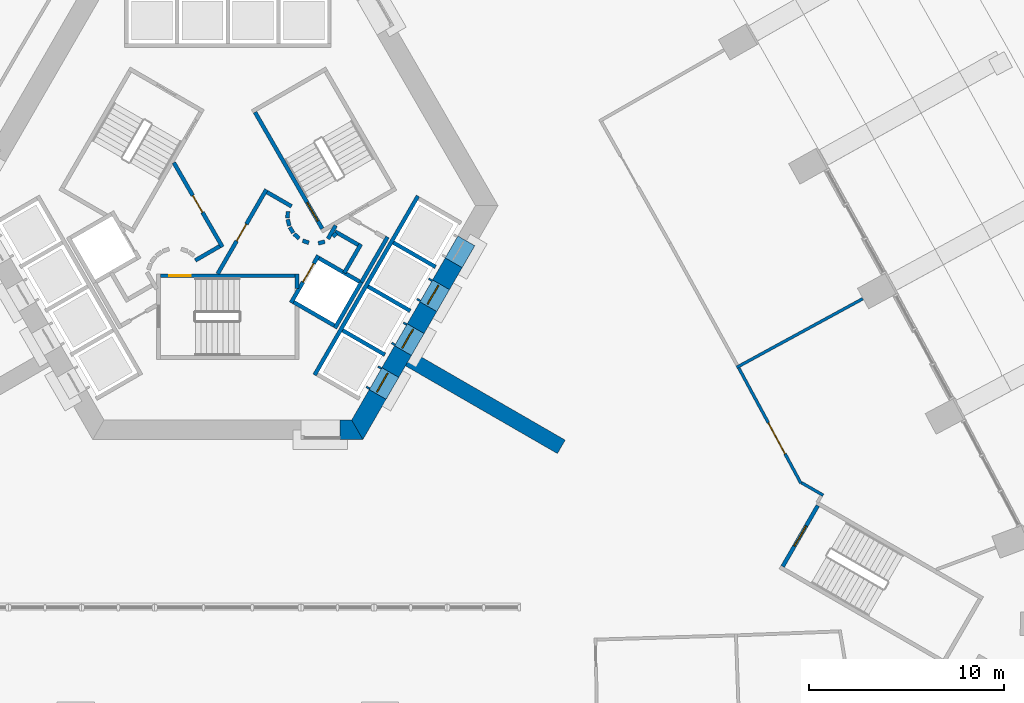
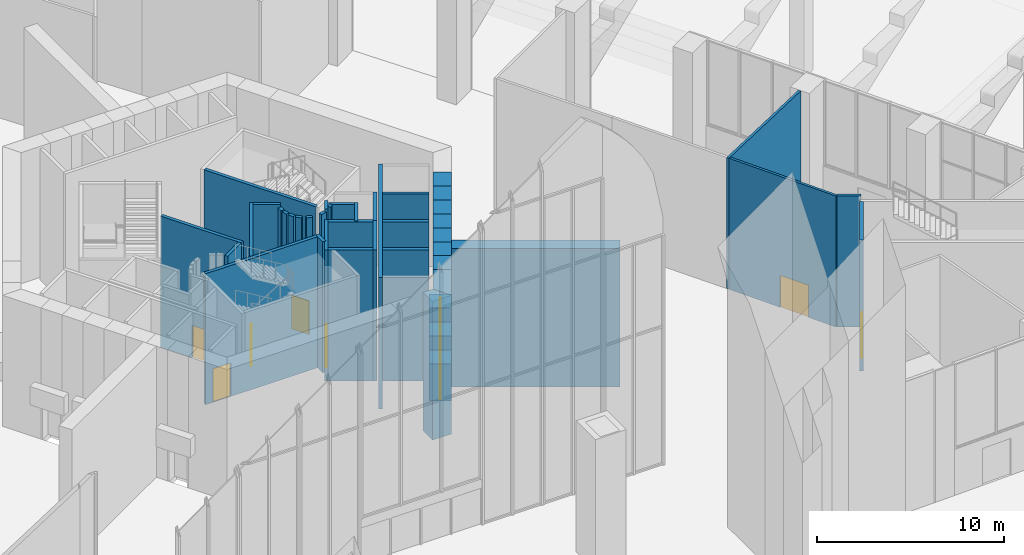
# One storey, part 17 of 36: 43 walls, 10 doors, 10 openings.
"""IFC4 building model written with IfcOpenShell, lengths in metres."""

from ifc_helpers import new_model, si_unit, direction, frame, frame_2d, origin, place, context, subcontext, project, spatial, polyline, rectangle, outline, extrude, material, layer, layer_set, type_object, element, fill, save


model = new_model("IFC4")

# Units and contexts
model_context = context("Model", 3, precision=1e-05, world=origin(), true_north=direction((0.0, 1.0)))
body_context = subcontext(model_context, "Body", "Model", "MODEL_VIEW")
ifc_project = project(units=[si_unit("LENGTHUNIT", "METRE"), si_unit("AREAUNIT", "SQUARE_METRE"), si_unit("VOLUMEUNIT", "CUBIC_METRE"), si_unit("PLANEANGLEUNIT", "RADIAN"), si_unit("MASSUNIT", "GRAM", prefix="KILO")], contexts=[model_context])

# Site, building, storey
site_placement = place(None, origin())
site = spatial("IfcSite", under=ifc_project, at=site_placement, CompositionType="ELEMENT")
building_placement = place(site_placement, origin())
building = spatial("IfcBuilding", under=site, at=building_placement, Name="Entoto Arch Interchange Tower", CompositionType="ELEMENT")
storey_placement = place(building_placement, origin())
storey = spatial("IfcBuildingStorey", under=building, at=storey_placement, Name="L00", CompositionType="ELEMENT", Elevation=0.0)

# Walls
ifc_material_1 = material(Name="Concrete C60/75", Category="concrete")
ifc_layer_1 = layer(ifc_material_1, 0.800048828125)
ifc_layer_set_1 = layer_set([ifc_layer_1], Name="Concrete C60/75")
wall_type_1 = type_object("IfcWallType", Name="Buttress wall 800 C60/75", PredefinedType="SHEAR", material=ifc_layer_set_1)
wall_1_placement = place(storey_placement, frame((9.31005859375, -5.375, -0.5), z_axis=(0.0, 0.0, 1.0), x_axis=(0.866017533419, -0.500013631625, 0.0)))
element("IfcWall", 1, at=wall_1_placement, inside=storey, type_object=wall_type_1, Name="Buttress wall SE L00", PredefinedType="SHEAR", context=body_context, shape_type="SweptSolid", body=[
    extrude(rectangle(XDim=8.999755859375, YDim=0.800048828125, at=frame_2d((4.5, 0.0))), origin(), (0.0, 0.0, 1.0), 9.050048828125),
])
ifc_layer_2 = layer(ifc_material_1, 1.0)
ifc_layer_set_2 = layer_set([ifc_layer_2], Name="Concrete C60/75")
wall_type_2 = type_object("IfcWallType", Name="Core wall 1000 C60/75", PredefinedType="SHEAR", material=ifc_layer_set_2)
wall_2_placement = place(storey_placement, frame((0.0, 0.0, -0.5)))
element("IfcWall", 2, at=wall_2_placement, inside=storey, type_object=wall_type_2, Name="Core wall S L00", PredefinedType="SHEAR", context=body_context, shape_type="SweptSolid", body=[
    extrude(outline(polyline([(5.75, -8.5), (5.75, -9.5), (6.927978515625, -9.5), (6.35107421875, -8.5), (5.75, -8.5)])), origin(), (0.0, 0.0, 1.0), 9.050048828125),
])
wall_3_placement = place(storey_placement, frame((0.0, 0.0, -0.5)))
element("IfcWall", 3, at=wall_3_placement, inside=storey, type_object=wall_type_2, Name="Core wall SE L00", PredefinedType="SHEAR", context=body_context, shape_type="SweptSolid", body=[
    extrude(outline(polyline([(8.116943359375, -7.43994140625), (7.251953125, -6.93994140625), (6.35107421875, -8.5), (6.927978515625, -9.5), (8.116943359375, -7.43994140625)])), origin(), (0.0, 0.0, 1.0), 9.050048828125),
])
wall_4_placement = place(storey_placement, frame((0.0, 0.0, -0.5)))
element("IfcWall", 4, at=wall_4_placement, inside=storey, type_object=wall_type_2, Name="Core wall SE L00", PredefinedType="SHEAR", context=body_context, shape_type="SweptSolid", body=[
    extrude(outline(polyline([(9.4169921875, -5.18896484375), (8.551025390625, -4.68896484375), (7.902099609375, -5.81396484375), (8.76708984375, -6.31396484375), (9.4169921875, -5.18896484375)])), origin(), (0.0, 0.0, 1.0), 9.050048828125),
])
wall_5_placement = place(storey_placement, frame((0.0, 0.0, -0.5)))
element("IfcWall", 5, at=wall_5_placement, inside=storey, type_object=wall_type_2, Name="Core wall SE L00", PredefinedType="SHEAR", context=body_context, shape_type="SweptSolid", body=[
    extrude(outline(polyline([(10.717041015625, -2.93701171875), (9.85107421875, -2.43701171875), (9.200927734375, -3.56298828125), (10.06689453125, -4.06298828125), (10.717041015625, -2.93701171875)])), origin(), (0.0, 0.0, 1.0), 9.050048828125),
])
wall_6_placement = place(storey_placement, frame((0.0, 0.0, -0.5)))
element("IfcWall", 6, at=wall_6_placement, inside=storey, type_object=wall_type_2, Name="Core wall SE L00", PredefinedType="SHEAR", context=body_context, shape_type="SweptSolid", body=[
    extrude(outline(polyline([(12.01708984375, -0.68603515625), (11.15087890625, -0.18603515625), (10.5009765625, -1.31103515625), (11.366943359375, -1.81103515625), (12.01708984375, -0.68603515625)])), origin(), (0.0, 0.0, 1.0), 9.050048828125),
])
wall_7_placement = place(storey_placement, frame((0.0, 0.0, 3.60009765625)))
element("IfcWall", 7, at=wall_7_placement, inside=storey, type_object=wall_type_2, Name="Core wall lintel SE L00", PredefinedType="SHEAR", context=body_context, shape_type="SweptSolid", body=[
    extrude(outline(polyline([(8.76708984375, -6.31396484375), (7.902099609375, -5.81396484375), (7.251953125, -6.93994140625), (8.116943359375, -7.43994140625), (8.76708984375, -6.31396484375)])), origin(), (0.0, 0.0, 1.0), 4.949951171875),
])
wall_8_placement = place(storey_placement, frame((0.0, 0.0, 3.60009765625)))
element("IfcWall", 8, at=wall_8_placement, inside=storey, type_object=wall_type_2, Name="Core wall lintel SE L00", PredefinedType="SHEAR", context=body_context, shape_type="SweptSolid", body=[
    extrude(outline(polyline([(10.06689453125, -4.06298828125), (9.200927734375, -3.56298828125), (8.551025390625, -4.68896484375), (9.4169921875, -5.18896484375), (10.06689453125, -4.06298828125)])), origin(), (0.0, 0.0, 1.0), 4.949951171875),
])
wall_9_placement = place(storey_placement, frame((0.0, 0.0, 3.60009765625)))
element("IfcWall", 9, at=wall_9_placement, inside=storey, type_object=wall_type_2, Name="Core wall lintel SE L00", PredefinedType="SHEAR", context=body_context, shape_type="SweptSolid", body=[
    extrude(outline(polyline([(11.366943359375, -1.81103515625), (10.5009765625, -1.31103515625), (9.85107421875, -2.43701171875), (10.717041015625, -2.93701171875), (11.366943359375, -1.81103515625)])), origin(), (0.0, 0.0, 1.0), 4.949951171875),
])
wall_10_placement = place(storey_placement, frame((0.0, 0.0, 3.60009765625)))
element("IfcWall", 10, at=wall_10_placement, inside=storey, type_object=wall_type_2, Name="Core wall lintel SE L00", PredefinedType="SHEAR", context=body_context, shape_type="SweptSolid", body=[
    extrude(outline(polyline([(12.6669921875, 0.43994140625), (11.801025390625, 0.93994140625), (11.15087890625, -0.18603515625), (12.01708984375, -0.68603515625), (12.6669921875, 0.43994140625)])), origin(), (0.0, 0.0, 1.0), 4.949951171875),
])

# Wall, opening, door
ifc_material_2 = material(Name="Concrete C40/50", Category="concrete")
ifc_layer_3 = layer(ifc_material_2, 1.199951171875)
ifc_layer_set_3 = layer_set([ifc_layer_3], Name="Concrete C40/50")
wall_type_3 = type_object("IfcWallType", Name="LIFT LANDING INFILL WALL", PredefinedType="STANDARD", material=ifc_layer_set_3)
wall_11_placement = place(storey_placement, frame((7.597900390625, -7.139892578125, 0.0), z_axis=(0.0, 0.0, 1.0), x_axis=(0.500362116554, 0.865816234728, 0.0)))
wall_11 = element("IfcWall", 11, at=wall_11_placement, inside=storey, type_object=wall_type_3, Name="Lift landing infill wall LR5 L00", PredefinedType="STANDARD", context=body_context, shape_type="SweptSolid", body=[
    extrude(rectangle(XDim=1.29931640625, YDim=1.199951171875, at=frame_2d((0.649658203125, 0.0))), origin(), (0.0, 0.0, 1.0), 2.39990234375),
])
opening_1_placement = place(wall_11_placement, frame((0.10009765625, 0.0, 0.0)))
opening_1 = element("IfcOpeningElement", 12, at=opening_1_placement, cuts=wall_11, Name="Opening LD-LR5-L00", PredefinedType="OPENING", context=body_context, shape_type="SweptSolid", body=[
    extrude(rectangle(XDim=1.10009765625, YDim=2.300048828125, at=frame_2d((0.550048828125, 1.14990234375))), frame((0.0, 0.60986328125, 0.0), z_axis=(0.0, -1.0, 0.0), x_axis=(1.0, 0.0, 0.0)), (0.0, 0.0, 1.0), 1.219970703125),
])
ifc_material_3 = material(Name="Stainless steel 1.4301 panels", Category="steel")
door_type_1 = type_object("IfcDoorType", Name="LIFT LANDING DOOR LD2 1100x2300", OperationType="SLIDING_TO_LEFT", PredefinedType="DOOR", material=ifc_material_3)
door_1_placement = place(opening_1_placement, origin())
door_1 = element("IfcDoor", 13, at=door_1_placement, inside=storey, type_object=door_type_1, Name="Lift landing door LR5 L00", OperationType="SLIDING_TO_LEFT", OverallHeight=2.300048828125, OverallWidth=1.10009765625, PredefinedType="DOOR", context=body_context, shape_type="SweptSolid", body=[
    extrude(rectangle(XDim=1.10009765625, YDim=2.300048828125, at=frame_2d((0.550048828125, 1.14990234375))), frame((0.0, 0.02490234375, 0.0), z_axis=(0.0, -1.0, 0.0), x_axis=(1.0, 0.0, 0.0)), (0.0, 0.0, 1.0), 0.050048828125),
])
fill(opening_1, door_1)

wall_12_placement = place(storey_placement, frame((8.89794921875, -4.888916015625, 0.0), z_axis=(0.0, 0.0, 1.0), x_axis=(0.500036693733, 0.866004217611, 0.0)))
wall_12 = element("IfcWall", 14, at=wall_12_placement, inside=storey, type_object=wall_type_3, Name="Lift landing infill wall LR6 L00", PredefinedType="STANDARD", context=body_context, shape_type="SweptSolid", body=[
    extrude(rectangle(XDim=1.30029296875, YDim=1.199951171875, at=frame_2d((0.650146484375, 0.0))), origin(), (0.0, 0.0, 1.0), 2.39990234375),
])
opening_2_placement = place(wall_12_placement, frame((0.10009765625, 0.0, 0.0)))
opening_2 = element("IfcOpeningElement", 15, at=opening_2_placement, cuts=wall_12, Name="Opening LD-LR6-L00", PredefinedType="OPENING", context=body_context, shape_type="SweptSolid", body=[
    extrude(rectangle(XDim=1.10009765625, YDim=2.300048828125, at=frame_2d((0.550048828125, 1.14990234375))), frame((0.0, 0.60986328125, 0.0), z_axis=(0.0, -1.0, 0.0), x_axis=(1.0, 0.0, 0.0)), (0.0, 0.0, 1.0), 1.219970703125),
])
door_2_placement = place(opening_2_placement, origin())
door_2 = element("IfcDoor", 16, at=door_2_placement, inside=storey, type_object=door_type_1, Name="Lift landing door LR6 L00", OperationType="SLIDING_TO_LEFT", OverallHeight=2.300048828125, OverallWidth=1.10009765625, PredefinedType="DOOR", context=body_context, shape_type="SweptSolid", body=[
    extrude(rectangle(XDim=1.10009765625, YDim=2.300048828125, at=frame_2d((0.550048828125, 1.14990234375))), frame((0.0, 0.02490234375, 0.0), z_axis=(0.0, -1.0, 0.0), x_axis=(1.0, 0.0, 0.0)), (0.0, 0.0, 1.0), 0.050048828125),
])
fill(opening_2, door_2)

wall_13_placement = place(storey_placement, frame((10.197998046875, -2.636962890625, 0.0), z_axis=(0.0, 0.0, 1.0), x_axis=(0.49989585183, 0.866085525409, 0.0)))
wall_13 = element("IfcWall", 17, at=wall_13_placement, inside=storey, type_object=wall_type_3, Name="Lift landing infill wall LR7 L00", PredefinedType="STANDARD", context=body_context, shape_type="SweptSolid", body=[
    extrude(rectangle(XDim=1.300048828125, YDim=1.199951171875, at=frame_2d((0.64990234375, 0.0))), origin(), (0.0, 0.0, 1.0), 2.39990234375),
])
opening_3_placement = place(wall_13_placement, frame((0.10009765625, 0.0, 0.0)))
opening_3 = element("IfcOpeningElement", 18, at=opening_3_placement, cuts=wall_13, Name="Opening LD-LR7-L00", PredefinedType="OPENING", context=body_context, shape_type="SweptSolid", body=[
    extrude(rectangle(XDim=1.10009765625, YDim=2.300048828125, at=frame_2d((0.550048828125, 1.14990234375))), frame((0.0, 0.60986328125, 0.0), z_axis=(0.0, -1.0, 0.0), x_axis=(1.0, 0.0, 0.0)), (0.0, 0.0, 1.0), 1.219970703125),
])
door_3_placement = place(opening_3_placement, origin())
door_3 = element("IfcDoor", 19, at=door_3_placement, inside=storey, type_object=door_type_1, Name="Lift landing door LR7 L00", OperationType="SLIDING_TO_LEFT", OverallHeight=2.300048828125, OverallWidth=1.10009765625, PredefinedType="DOOR", context=body_context, shape_type="SweptSolid", body=[
    extrude(rectangle(XDim=1.10009765625, YDim=2.300048828125, at=frame_2d((0.550048828125, 1.14990234375))), frame((0.0, 0.02490234375, 0.0), z_axis=(0.0, -1.0, 0.0), x_axis=(1.0, 0.0, 0.0)), (0.0, 0.0, 1.0), 0.050048828125),
])
fill(opening_3, door_3)

ifc_layer_4 = layer(ifc_material_2, 0.199951171875)
ifc_layer_set_4 = layer_set([ifc_layer_4], Name="Concrete C40/50")
wall_type_4 = type_object("IfcWallType", Name="LIFT SHAFT WALL 200", PredefinedType="STANDARD", material=ifc_layer_set_4)
wall_14_placement = place(storey_placement, frame((3.239990234375, -2.488037109375, 0.0), z_axis=(0.0, 0.0, 1.0), x_axis=(0.49994636267, 0.866056369097, 0.0)))
wall_14 = element("IfcWall", 20, at=wall_14_placement, inside=storey, type_object=wall_type_4, Name="Shaft wall SE1 front", PredefinedType="STANDARD", context=body_context, shape_type="SweptSolid", body=[
    extrude(rectangle(XDim=2.800048828125, YDim=0.199951171875, at=frame_2d((1.39990234375, 0.0))), origin(), (0.0, 0.0, 1.0), 8.550048828125),
])
opening_4_placement = place(wall_14_placement, frame((1.22509765625, 0.0, 0.0)))
opening_4 = element("IfcOpeningElement", 21, at=opening_4_placement, cuts=wall_14, Name="Opening LD-FF1-L00", PredefinedType="OPENING", context=body_context, shape_type="SweptSolid", body=[
    extrude(rectangle(XDim=1.10009765625, YDim=2.10009765625, at=frame_2d((0.550048828125, 1.050048828125))), frame((0.0, 0.10986328125, 0.0), z_axis=(0.0, -1.0, 0.0), x_axis=(1.0, 0.0, 0.0)), (0.0, 0.0, 1.0), 0.219970703125),
])
door_type_2 = type_object("IfcDoorType", Name="LIFT LANDING DOOR LD1 1100x2100", OperationType="SLIDING_TO_LEFT", PredefinedType="DOOR", material=ifc_material_3)
door_4_placement = place(opening_4_placement, origin())
door_4 = element("IfcDoor", 22, at=door_4_placement, inside=storey, type_object=door_type_2, Name="Lift landing door FF1 L00", OperationType="SLIDING_TO_LEFT", OverallHeight=2.10009765625, OverallWidth=1.10009765625, PredefinedType="DOOR", context=body_context, shape_type="SweptSolid", body=[
    extrude(rectangle(XDim=1.10009765625, YDim=2.10009765625, at=frame_2d((0.550048828125, 1.050048828125))), frame((0.0, 0.02490234375, 0.0), z_axis=(0.0, -1.0, 0.0), x_axis=(1.0, 0.0, 0.0)), (0.0, 0.0, 1.0), 0.050048828125),
])
fill(opening_4, door_4)

# Walls
wall_15_placement = place(storey_placement, frame((5.491943359375, -3.7880859375, 0.0), z_axis=(0.0, 0.0, 1.0), x_axis=(0.500011755427, 0.866018616679, 0.0)))
element("IfcWall", 23, at=wall_15_placement, inside=storey, type_object=wall_type_4, Name="Shaft wall SE1 back", PredefinedType="STANDARD", context=body_context, shape_type="SweptSolid", body=[
    extrude(rectangle(XDim=2.80029296875, YDim=0.199951171875, at=frame_2d((1.400146484375, 0.0))), origin(), (0.0, 0.0, 1.0), 8.550048828125),
])
wall_16_placement = place(storey_placement, frame((3.376953125, -2.451904296875, 0.0), z_axis=(0.0, 0.0, 1.0), x_axis=(0.865955154139, -0.50012165622, 0.0)))
element("IfcWall", 24, at=wall_16_placement, inside=storey, type_object=wall_type_4, Name="Shaft wall SE1 cross 1", PredefinedType="STANDARD", context=body_context, shape_type="SweptSolid", body=[
    extrude(rectangle(XDim=2.39990234375, YDim=0.199951171875, at=frame_2d((1.199951171875, 0.0))), origin(), (0.0, 0.0, 1.0), 8.550048828125),
])
wall_17_placement = place(storey_placement, frame((4.677001953125, -0.199951171875, 0.0), z_axis=(0.0, 0.0, 1.0), x_axis=(0.865973769406, -0.500089422704, 0.0)))
element("IfcWall", 25, at=wall_17_placement, inside=storey, type_object=wall_type_4, Name="Shaft wall SE1 cross 2", PredefinedType="STANDARD", context=body_context, shape_type="SweptSolid", body=[
    extrude(rectangle(XDim=2.3994140625, YDim=0.199951171875, at=frame_2d((1.19970703125, 0.0))), origin(), (0.0, 0.0, 1.0), 8.550048828125),
])
wall_18_placement = place(storey_placement, frame((4.450927734375, -6.18994140625, 0.0), z_axis=(0.0, 0.0, 1.0), x_axis=(0.50000090737, 0.866024879913, 0.0)))
element("IfcWall", 26, at=wall_18_placement, inside=storey, type_object=wall_type_4, Name="Shaft wall SE3 front", PredefinedType="STANDARD", context=body_context, shape_type="SweptSolid", body=[
    extrude(rectangle(XDim=10.60009765625, YDim=0.199951171875, at=frame_2d((5.300048828125, 0.0))), origin(), (0.0, 0.0, 1.0), 8.550048828125),
])
for number, where, z_axis, x_axis, name in (
    (27, (5.887939453125, -3.902099609375, 0.0), (0.0, 0.0, 1.0), (0.866022959057, -0.500004234368, 0.0), "Shaft wall SE3 cross 2"),
    (28, (7.18798828125, -1.64990234375, 0.0), (0.0, 0.0, 1.0), (0.866022959057, -0.500004234368, 0.0), "Shaft wall SE3 cross 3"),
    (29, (8.488037109375, 0.60205078125, 0.0), (0.0, 0.0, 1.0), (0.866022959057, -0.500004234368, 0.0), "Shaft wall SE3 cross 4"),
):
    element("IfcWall", number, at=place(storey_placement, frame(where, z_axis=z_axis, x_axis=x_axis)), inside=storey, type_object=wall_type_4, Name=name, PredefinedType="STANDARD", context=body_context, shape_type="SweptSolid", body=[
        extrude(rectangle(XDim=2.5, YDim=0.199951171875, at=frame_2d((1.25, 0.0))), origin(), (0.0, 0.0, 1.0), 8.550048828125),
    ])
ifc_material_4 = material(Name="Gypsum board partition on steel studs", Category="steel")
ifc_layer_5 = layer(ifc_material_4, 0.14990234375)
ifc_layer_set_5 = layer_set([ifc_layer_5], Name="Gypsum board partition on steel studs")
wall_type_5 = type_object("IfcWallType", Name="PARTITION 150", PredefinedType="PARTITIONING", material=ifc_layer_set_5)
wall_19_placement = place(storey_placement, frame((26.10205078125, -5.798095703125, 0.0), z_axis=(0.0, 0.0, 1.0), x_axis=(0.878298596042, 0.478112514154, 0.0)))
element("IfcWall", 30, at=wall_19_placement, inside=storey, type_object=wall_type_5, Name="wall:L00:p054", PredefinedType="PARTITIONING", context=body_context, shape_type="SweptSolid", body=[
    extrude(rectangle(XDim=7.356201171875, YDim=0.14990234375, at=frame_2d((3.67822265625, 0.0))), origin(), (0.0, 0.0, 1.0), 8.550048828125),
])
wall_20_placement = place(storey_placement, frame((30.537109375, -12.35791015625, 0.0), z_axis=(0.0, 0.0, 1.0), x_axis=(-0.866283635419, 0.499552462715, 0.0)))
element("IfcWall", 31, at=wall_20_placement, inside=storey, type_object=wall_type_5, Name="wall:L00:p057", PredefinedType="PARTITIONING", context=body_context, shape_type="SweptSolid", body=[
    extrude(rectangle(XDim=1.284912109375, YDim=0.14990234375, at=frame_2d((0.642578125, 0.0))), origin(), (0.0, 0.0, 1.0), 8.550048828125),
])

# Wall, opening, door
wall_21_placement = place(storey_placement, frame((29.39501953125, -11.7451171875, 0.0), z_axis=(0.0, 0.0, 1.0), x_axis=(-0.474633115633, 0.88018373397, 0.0)))
wall_21 = element("IfcWall", 32, at=wall_21_placement, inside=storey, type_object=wall_type_5, Name="wall:L00:p058", PredefinedType="PARTITIONING", context=body_context, shape_type="SweptSolid", body=[
    extrude(rectangle(XDim=6.714599609375, YDim=0.14990234375, at=frame_2d((3.357421875, 0.0))), origin(), (0.0, 0.0, 1.0), 8.550048828125),
])
opening_5_placement = place(wall_21_placement, frame((1.719970703125, 0.0, 0.0)))
opening_5 = element("IfcOpeningElement", 33, at=opening_5_placement, cuts=wall_21, Name="Opening L00-D04", PredefinedType="OPENING", context=body_context, shape_type="SweptSolid", body=[
    extrude(rectangle(XDim=1.800048828125, YDim=2.10009765625, at=frame_2d((0.89990234375, 1.050048828125))), frame((0.0, 0.0849609375, 0.0), z_axis=(0.0, -1.0, 0.0), x_axis=(1.0, 0.0, 0.0)), (0.0, 0.0, 1.0), 0.169921875),
])
ifc_material_5 = material(Name="Timber door leaf in Steel S235 frame", Category="steel")
door_type_3 = type_object("IfcDoorType", Name="DOOR DD-18 1800x2100", OperationType="DOUBLE_DOOR_SINGLE_SWING", PredefinedType="DOOR", material=ifc_material_5)
door_5_placement = place(opening_5_placement, origin())
door_5 = element("IfcDoor", 34, at=door_5_placement, inside=storey, type_object=door_type_3, Name="door:L00:04", OperationType="DOUBLE_DOOR_SINGLE_SWING", OverallHeight=2.10009765625, OverallWidth=1.800048828125, PredefinedType="DOOR", context=body_context, shape_type="SweptSolid", body=[
    extrude(rectangle(XDim=1.800048828125, YDim=2.10009765625, at=frame_2d((0.89990234375, 1.050048828125))), frame((0.0, 0.02490234375, 0.0), z_axis=(0.0, -1.0, 0.0), x_axis=(1.0, 0.0, 0.0)), (0.0, 0.0, 1.0), 0.050048828125),
])
fill(opening_5, door_5)

# Walls
ifc_layer_6 = layer(ifc_material_4, 0.199951171875)
ifc_layer_set_6 = layer_set([ifc_layer_6], Name="Gypsum board partition on steel studs")
wall_type_6 = type_object("IfcWallType", Name="PARTITION 200", PredefinedType="PARTITIONING", material=ifc_layer_set_6)
wall_22_placement = place(storey_placement, frame((5.389892578125, 0.89794921875, 0.0), z_axis=(0.0, 0.0, 1.0), x_axis=(0.673828488714, 0.738887791073, 0.0)))
element("IfcWall", 35, at=wall_22_placement, inside=storey, type_object=wall_type_6, Name="wall:L00:p001", PredefinedType="PARTITIONING", context=body_context, shape_type="SweptSolid", body=[
    extrude(rectangle(XDim=0.2626953125, YDim=0.199951171875, at=frame_2d((0.13134765625, 0.0))), origin(), (0.0, 0.0, 1.0), 8.550048828125),
])
wall_23_placement = place(storey_placement, frame((5.4990234375, 1.172119140625, 0.0), z_axis=(0.0, 0.0, 1.0), x_axis=(0.866333505267, -0.499465972466, 0.0)))
element("IfcWall", 36, at=wall_23_placement, inside=storey, type_object=wall_type_6, Name="wall:L00:p002", PredefinedType="PARTITIONING", context=body_context, shape_type="SweptSolid", body=[
    extrude(rectangle(XDim=1.37353515625, YDim=0.199951171875, at=frame_2d((0.686767578125, 0.0))), origin(), (0.0, 0.0, 1.0), 8.550048828125),
])
wall_24_placement = place(storey_placement, frame((6.825927734375, 0.52197265625, 0.0), z_axis=(0.0, 0.0, 1.0), x_axis=(-0.500016722714, -0.866015748706, 0.0)))
element("IfcWall", 37, at=wall_24_placement, inside=storey, type_object=wall_type_6, Name="wall:L00:p003", PredefinedType="PARTITIONING", context=body_context, shape_type="SweptSolid", body=[
    extrude(rectangle(XDim=1.69970703125, YDim=0.199951171875, at=frame_2d((0.849853515625, 0.0))), origin(), (0.0, 0.0, 1.0), 8.550048828125),
])
wall_25_placement = place(storey_placement, frame((8.19189453125, 0.887939453125, 0.0), z_axis=(0.0, 0.0, 1.0), x_axis=(-0.499940625693, -0.866059680843, 0.0)))
element("IfcWall", 38, at=wall_25_placement, inside=storey, type_object=wall_type_6, Name="wall:L00:p004", PredefinedType="PARTITIONING", context=body_context, shape_type="SweptSolid", body=[
    extrude(rectangle(XDim=2.679931640625, YDim=0.199951171875, at=frame_2d((1.33984375, 0.0))), origin(), (0.0, 0.0, 1.0), 8.550048828125),
])
wall_26_placement = place(storey_placement, frame((5.135009765625, 0.79296875, 0.0), z_axis=(0.0, 0.0, 1.0), x_axis=(0.499526442893, 0.866298639529, 0.0)))
element("IfcWall", 39, at=wall_26_placement, inside=storey, type_object=wall_type_6, Name="wall:L00:p005", PredefinedType="PARTITIONING", context=body_context, shape_type="SweptSolid", body=[
    extrude(rectangle(XDim=0.790771484375, YDim=0.199951171875, at=frame_2d((0.3955078125, 0.0))), origin(), (0.0, 0.0, 1.0), 8.550048828125),
])
wall_27_placement = place(storey_placement, frame((3.0791015625, 2.198974609375, 0.0), z_axis=(0.0, 0.0, 1.0), x_axis=(-0.047771483479, -0.998858290933, 0.0)))
element("IfcWall", 40, at=wall_27_placement, inside=storey, type_object=wall_type_6, Name="wall:L00:p012", PredefinedType="PARTITIONING", context=body_context, shape_type="SweptSolid", body=[
    extrude(rectangle(XDim=0.33740234375, YDim=0.199951171875, at=frame_2d((0.168701171875, 0.0))), origin(), (0.0, 0.0, 1.0), 8.550048828125),
])
wall_28_placement = place(storey_placement, frame((3.070068359375, 1.785888671875, 0.0), z_axis=(0.0, 0.0, 1.0), x_axis=(0.242705583207, -0.970099994784, 0.0)))
element("IfcWall", 41, at=wall_28_placement, inside=storey, type_object=wall_type_6, Name="wall:L00:p013", PredefinedType="PARTITIONING", context=body_context, shape_type="SweptSolid", body=[
    extrude(rectangle(XDim=0.337890625, YDim=0.199951171875, at=frame_2d((0.1689453125, 0.0))), origin(), (0.0, 0.0, 1.0), 8.550048828125),
])
for number, where, z_axis, x_axis, name in (
    (42, (3.181884765625, 1.387939453125, 0.0), (0.0, 0.0, 1.0), (0.512474702713, -0.85870232274, 0.0), "wall:L00:p014"),
    (43, (3.404052734375, 1.0390625, 0.0), (0.0, 0.0, 1.0), (0.740267097712, -0.672312891476, 0.0), "wall:L00:p015"),
):
    element("IfcWall", number, at=place(storey_placement, frame(where, z_axis=z_axis, x_axis=x_axis)), inside=storey, type_object=wall_type_6, Name=name, PredefinedType="PARTITIONING", context=body_context, shape_type="SweptSolid", body=[
        extrude(rectangle(XDim=0.337646484375, YDim=0.199951171875, at=frame_2d((0.1689453125, 0.0))), origin(), (0.0, 0.0, 1.0), 8.550048828125),
    ])
wall_29_placement = place(storey_placement, frame((3.837890625, 0.701904296875, 0.0), z_axis=(0.0, 0.0, 1.0), x_axis=(0.941035081519, -0.338308993895, 0.0)))
element("IfcWall", 44, at=wall_29_placement, inside=storey, type_object=wall_type_6, Name="wall:L00:p016", PredefinedType="PARTITIONING", context=body_context, shape_type="SweptSolid", body=[
    extrude(rectangle(XDim=0.3369140625, YDim=0.199951171875, at=frame_2d((0.16845703125, 0.0))), origin(), (0.0, 0.0, 1.0), 8.550048828125),
])
wall_30_placement = place(storey_placement, frame((4.64404296875, 0.56396484375, 0.0), z_axis=(0.0, 0.0, 1.0), x_axis=(0.969929076366, 0.243387729394, 0.0)))
element("IfcWall", 45, at=wall_30_placement, inside=storey, type_object=wall_type_6, Name="wall:L00:p017", PredefinedType="PARTITIONING", context=body_context, shape_type="SweptSolid", body=[
    extrude(rectangle(XDim=0.337158203125, YDim=0.199951171875, at=frame_2d((0.16845703125, 0.0))), origin(), (0.0, 0.0, 1.0), 8.550048828125),
])

# Wall, opening, door
wall_31_placement = place(storey_placement, frame((-0.52001953125, -1.0, 0.0), z_axis=(0.0, 0.0, 1.0), x_axis=(0.50011622646, 0.865958290007, 0.0)))
wall_31 = element("IfcWall", 46, at=wall_31_placement, inside=storey, type_object=wall_type_6, Name="wall:L00:p018", PredefinedType="PARTITIONING", context=body_context, shape_type="SweptSolid", body=[
    extrude(rectangle(XDim=4.990966796875, YDim=0.199951171875, at=frame_2d((2.49560546875, 0.0))), origin(), (0.0, 0.0, 1.0), 8.550048828125),
])
opening_6_placement = place(wall_31_placement, frame((1.945068359375, 0.0, 0.0)))
opening_6 = element("IfcOpeningElement", 47, at=opening_6_placement, cuts=wall_31, Name="Opening L00-D11", PredefinedType="OPENING", context=body_context, shape_type="SweptSolid", body=[
    extrude(rectangle(XDim=1.0, YDim=2.10009765625, at=frame_2d((0.5, 1.050048828125))), frame((0.0, 0.10986328125, 0.0), z_axis=(0.0, -1.0, 0.0), x_axis=(1.0, 0.0, 0.0)), (0.0, 0.0, 1.0), 0.219970703125),
])
ifc_material_6 = material(Name="Fire-rated Steel S235 door and frame", Category="steel")
door_type_4 = type_object("IfcDoorType", Name="DOOR FD-10 1000x2100", OperationType="SINGLE_SWING_LEFT", PredefinedType="DOOR", material=ifc_material_6)
door_6_placement = place(opening_6_placement, origin())
door_6 = element("IfcDoor", 48, at=door_6_placement, inside=storey, type_object=door_type_4, Name="door:L00:11", OperationType="SINGLE_SWING_LEFT", OverallHeight=2.10009765625, OverallWidth=1.0, PredefinedType="DOOR", context=body_context, shape_type="SweptSolid", body=[
    extrude(rectangle(XDim=1.0, YDim=2.10009765625, at=frame_2d((0.5, 1.050048828125))), frame((0.0, 0.02490234375, 0.0), z_axis=(0.0, -1.0, 0.0), x_axis=(1.0, 0.0, 0.0)), (0.0, 0.0, 1.0), 0.050048828125),
])
fill(opening_6, door_6)

# Walls
wall_32_placement = place(storey_placement, frame((2.011962890625, 3.18603515625, 0.0), z_axis=(0.0, 0.0, 1.0), x_axis=(0.865891012941, -0.500232699559, 0.0)))
element("IfcWall", 49, at=wall_32_placement, inside=storey, type_object=wall_type_6, Name="wall:L00:p019", PredefinedType="PARTITIONING", context=body_context, shape_type="SweptSolid", body=[
    extrude(rectangle(XDim=1.449462890625, YDim=0.199951171875, at=frame_2d((0.724609375, 0.0))), origin(), (0.0, 0.0, 1.0), 8.550048828125),
])
wall_33_placement = place(storey_placement, frame((-0.412109375, 0.4140625, 0.0), z_axis=(0.0, 0.0, 1.0), x_axis=(-0.866017369001, -0.500013916395, 0.0)))
element("IfcWall", 50, at=wall_33_placement, inside=storey, type_object=wall_type_6, Name="wall:L00:p020", PredefinedType="PARTITIONING", context=body_context, shape_type="SweptSolid", body=[
    extrude(rectangle(XDim=1.4501953125, YDim=0.199951171875, at=frame_2d((0.72509765625, 0.0))), origin(), (0.0, 0.0, 1.0), 8.550048828125),
])

# Wall, opening, door
wall_34_placement = place(storey_placement, frame((-2.77099609375, 4.699951171875, 0.0), z_axis=(0.0, 0.0, 1.0), x_axis=(0.499969479948, -0.866043023828, 0.0)))
wall_34 = element("IfcWall", 51, at=wall_34_placement, inside=storey, type_object=wall_type_6, Name="wall:L00:p027", PredefinedType="PARTITIONING", context=body_context, shape_type="SweptSolid", body=[
    extrude(rectangle(XDim=4.990478515625, YDim=0.199951171875, at=frame_2d((2.4951171875, 0.0))), origin(), (0.0, 0.0, 1.0), 8.550048828125),
])
opening_7_placement = place(wall_34_placement, frame((1.945068359375, 0.0, 0.0)))
opening_7 = element("IfcOpeningElement", 52, at=opening_7_placement, cuts=wall_34, Name="Opening L00-D12", PredefinedType="OPENING", context=body_context, shape_type="SweptSolid", body=[
    extrude(rectangle(XDim=1.0, YDim=2.10009765625, at=frame_2d((0.5, 1.050048828125))), frame((0.0, 0.10986328125, 0.0), z_axis=(0.0, -1.0, 0.0), x_axis=(1.0, 0.0, 0.0)), (0.0, 0.0, 1.0), 0.219970703125),
])
door_7_placement = place(opening_7_placement, origin())
door_7 = element("IfcDoor", 53, at=door_7_placement, inside=storey, type_object=door_type_4, Name="door:L00:12", OperationType="SINGLE_SWING_RIGHT", OverallHeight=2.10009765625, OverallWidth=1.0, PredefinedType="DOOR", context=body_context, shape_type="SweptSolid", body=[
    extrude(rectangle(XDim=1.0, YDim=2.10009765625, at=frame_2d((0.5, 1.050048828125))), frame((0.0, 0.02490234375, 0.0), z_axis=(0.0, -1.0, 0.0), x_axis=(1.0, 0.0, 0.0)), (0.0, 0.0, 1.0), 0.050048828125),
])
fill(opening_7, door_7)

# Wall
ifc_layer_7 = layer(ifc_material_2, 0.199951171875)
ifc_layer_set_7 = layer_set([ifc_layer_7], Name="Concrete C40/50")
wall_type_7 = type_object("IfcWallType", Name="STAIR ENCLOSURE WALL 200", PredefinedType="STANDARD", material=ifc_layer_set_7)
wall_35_placement = place(storey_placement, frame((3.550048828125, -1.0, 0.0), z_axis=(0.0, 0.0, 1.0), x_axis=(0.0, -1.0, 0.0)))
element("IfcWall", 54, at=wall_35_placement, inside=storey, type_object=wall_type_7, Name="Stair wall ST-S far return", PredefinedType="STANDARD", context=body_context, shape_type="SweptSolid", body=[
    extrude(rectangle(XDim=0.7509765625, YDim=0.199951171875, at=frame_2d((0.37548828125, 0.0))), origin(), (0.0, 0.0, 1.0), 8.550048828125),
])

# Wall, opening, door
wall_36_placement = place(storey_placement, frame((-3.449951171875, -1.10009765625, 0.0), z_axis=(0.0, 0.0, 1.0), x_axis=(1.0, 0.0, 0.0)))
wall_36 = element("IfcWall", 55, at=wall_36_placement, inside=storey, type_object=wall_type_7, Name="Stair wall ST-S hall", PredefinedType="STANDARD", context=body_context, shape_type="SweptSolid", body=[
    extrude(rectangle(XDim=6.89990234375, YDim=0.199951171875, at=frame_2d((3.449951171875, 0.0))), origin(), (0.0, 0.0, 1.0), 8.550048828125),
])
opening_8_placement = place(wall_36_placement, frame((0.449951171875, 0.0, 0.0)))
opening_8 = element("IfcOpeningElement", 56, at=opening_8_placement, cuts=wall_36, Name="Opening SD-ST-S-L00", PredefinedType="OPENING", context=body_context, shape_type="SweptSolid", body=[
    extrude(rectangle(XDim=1.10009765625, YDim=2.199951171875, at=frame_2d((0.550048828125, 1.10009765625))), frame((0.0, 0.10986328125, 0.0), z_axis=(0.0, -1.0, 0.0), x_axis=(1.0, 0.0, 0.0)), (0.0, 0.0, 1.0), 0.219970703125),
])
ifc_material_7 = material(Name="Steel S235", Category="steel")
door_type_5 = type_object("IfcDoorType", Name="STAIR DOOR SD1 1100x2200", OperationType="SINGLE_SWING_LEFT", PredefinedType="DOOR", material=ifc_material_7)
door_8_placement = place(opening_8_placement, origin())
door_8 = element("IfcDoor", 57, at=door_8_placement, inside=storey, type_object=door_type_5, Name="Stair door ST-S L00", OperationType="SINGLE_SWING_LEFT", OverallHeight=2.199951171875, OverallWidth=1.10009765625, PredefinedType="DOOR", context=body_context, shape_type="SweptSolid", body=[
    extrude(rectangle(XDim=1.10009765625, YDim=2.199951171875, at=frame_2d((0.550048828125, 1.10009765625))), frame((0.0, 0.02490234375, 0.0), z_axis=(0.0, -1.0, 0.0), x_axis=(1.0, 0.0, 0.0)), (0.0, 0.0, 1.0), 0.050048828125),
])
fill(opening_8, door_8)

wall_37_placement = place(storey_placement, frame((4.843017578125, 1.31201171875, 0.0), z_axis=(0.0, 0.0, 1.0), x_axis=(-0.499963383562, 0.866046543262, 0.0)))
wall_37 = element("IfcWall", 58, at=wall_37_placement, inside=storey, type_object=wall_type_7, Name="Stair wall ST-NE hall", PredefinedType="STANDARD", context=body_context, shape_type="SweptSolid", body=[
    extrude(rectangle(XDim=6.900390625, YDim=0.199951171875, at=frame_2d((3.4501953125, 0.0))), origin(), (0.0, 0.0, 1.0), 8.550048828125),
])
opening_9_placement = place(wall_37_placement, frame((0.449951171875, 0.0, 0.0)))
opening_9 = element("IfcOpeningElement", 59, at=opening_9_placement, cuts=wall_37, Name="Opening SD-ST-NE-L00", PredefinedType="OPENING", context=body_context, shape_type="SweptSolid", body=[
    extrude(rectangle(XDim=1.10009765625, YDim=2.199951171875, at=frame_2d((0.550048828125, 1.10009765625))), frame((0.0, 0.10986328125, 0.0), z_axis=(0.0, -1.0, 0.0), x_axis=(1.0, 0.0, 0.0)), (0.0, 0.0, 1.0), 0.219970703125),
])
door_9_placement = place(opening_9_placement, origin())
door_9 = element("IfcDoor", 60, at=door_9_placement, inside=storey, type_object=door_type_5, Name="Stair door ST-NE L00", OperationType="SINGLE_SWING_LEFT", OverallHeight=2.199951171875, OverallWidth=1.10009765625, PredefinedType="DOOR", context=body_context, shape_type="SweptSolid", body=[
    extrude(rectangle(XDim=1.10009765625, YDim=2.199951171875, at=frame_2d((0.550048828125, 1.10009765625))), frame((0.0, 0.02490234375, 0.0), z_axis=(0.0, -1.0, 0.0), x_axis=(1.0, 0.0, 0.0)), (0.0, 0.0, 1.0), 0.050048828125),
])
fill(opening_9, door_9)

wall_38_placement = place(storey_placement, frame((28.4580078125, -16.009033203125, 0.0), z_axis=(0.0, 0.0, 1.0), x_axis=(0.499982693035, 0.866035395735, 0.0)))
wall_38 = element("IfcWall", 61, at=wall_38_placement, inside=storey, type_object=wall_type_7, Name="Stair wall PST-SE near", PredefinedType="STANDARD", context=body_context, shape_type="SweptSolid", body=[
    extrude(rectangle(XDim=3.600341796875, YDim=0.199951171875, at=frame_2d((1.80029296875, 0.0))), origin(), (0.0, 0.0, 1.0), 8.550048828125),
])
opening_10_placement = place(wall_38_placement, frame((1.199951171875, 0.0, 0.0)))
opening_10 = element("IfcOpeningElement", 62, at=opening_10_placement, cuts=wall_38, Name="Opening SD-PST-SE-L00", PredefinedType="OPENING", context=body_context, shape_type="SweptSolid", body=[
    extrude(rectangle(XDim=1.199951171875, YDim=2.199951171875, at=frame_2d((0.60009765625, 1.10009765625))), frame((0.0, 0.10986328125, 0.0), z_axis=(0.0, -1.0, 0.0), x_axis=(1.0, 0.0, 0.0)), (0.0, 0.0, 1.0), 0.219970703125),
])
door_type_6 = type_object("IfcDoorType", Name="STAIR DOOR SD2 1200x2200", OperationType="SINGLE_SWING_LEFT", PredefinedType="DOOR", material=ifc_material_7)
door_10_placement = place(opening_10_placement, origin())
door_10 = element("IfcDoor", 63, at=door_10_placement, inside=storey, type_object=door_type_6, Name="Stair door PST-SE L00", OperationType="SINGLE_SWING_LEFT", OverallHeight=2.199951171875, OverallWidth=1.199951171875, PredefinedType="DOOR", context=body_context, shape_type="SweptSolid", body=[
    extrude(rectangle(XDim=1.199951171875, YDim=2.199951171875, at=frame_2d((0.60009765625, 1.10009765625))), frame((0.0, 0.02490234375, 0.0), z_axis=(0.0, -1.0, 0.0), x_axis=(1.0, 0.0, 0.0)), (0.0, 0.0, 1.0), 0.050048828125),
])
fill(opening_10, door_10)

save(model, "model.ifc")
